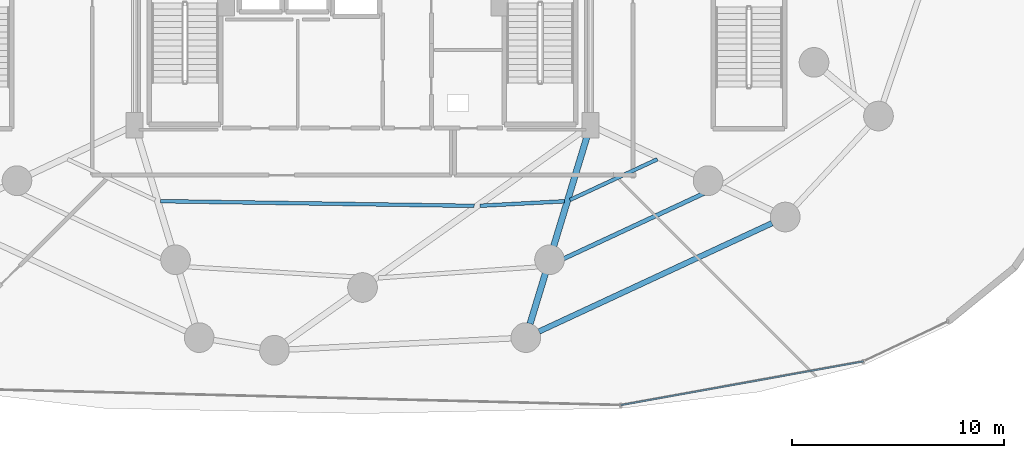
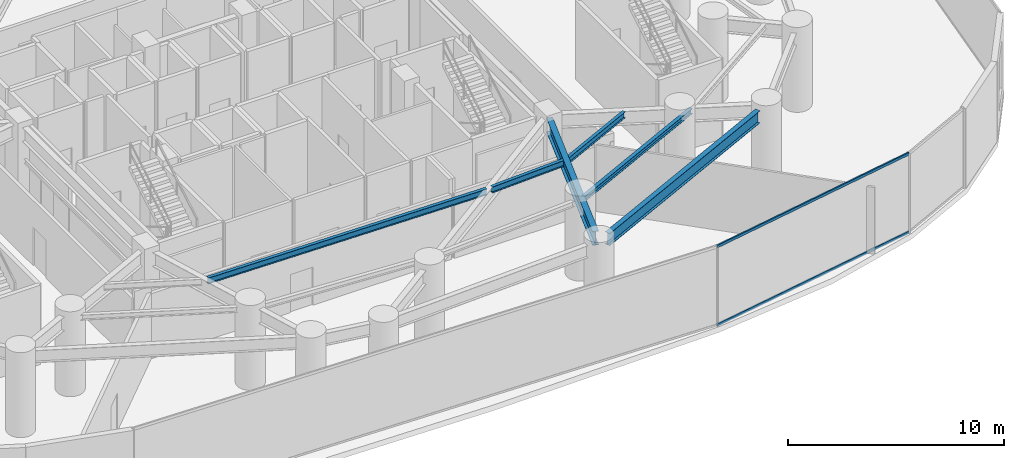
# One storey, part 9 of 26: 6 beams, 2 members, 1 element without a shape of its own.
"""IFC4 building model written with IfcOpenShell, lengths in metres."""

from ifc_helpers import new_model, si_unit, direction, frame, origin, origin_2d, place, context, subcontext, project, spatial, hollow_rectangle, i_section, extrude, material, material_profile, profile_set, type_object, element, aggregate, save


model = new_model("IFC4")

# Units and contexts
model_context = context("Model", 3, precision=1e-05, world=origin(), true_north=direction((0.0, 1.0)))
body_context = subcontext(model_context, "Body", "Model", "MODEL_VIEW")
ifc_project = project(units=[si_unit("LENGTHUNIT", "METRE"), si_unit("AREAUNIT", "SQUARE_METRE"), si_unit("VOLUMEUNIT", "CUBIC_METRE"), si_unit("PLANEANGLEUNIT", "RADIAN"), si_unit("MASSUNIT", "GRAM", prefix="KILO")], contexts=[model_context])

# Site, building, storey
site_placement = place(None, origin())
site = spatial("IfcSite", under=ifc_project, at=site_placement, CompositionType="ELEMENT")
building_placement = place(site_placement, origin())
building = spatial("IfcBuilding", under=site, at=building_placement, Name="Vorneva Point Tower", CompositionType="ELEMENT")
storey_placement = place(building_placement, frame((0.0, 0.0, 14.39990234375)))
storey = spatial("IfcBuildingStorey", under=building, at=storey_placement, Name="L03", CompositionType="ELEMENT", Elevation=14.39990234375)

# Beams
ifc_material_1 = material(Name="Steel S355", Category="steel")
ifc_material_profile_1 = material_profile(ifc_material_1, i_section(OverallWidth=0.300048828125, OverallDepth=0.7880859375, WebThickness=0.014404296875, FlangeThickness=0.02197265625, at=origin_2d()), Name="80Sh1")
ifc_profile_set_1 = profile_set([ifc_material_profile_1], Name="Steel S355")
beam_type_1 = type_object("IfcBeamType", Name="BM-GRD-80Sh1", PredefinedType="USERDEFINED", material=ifc_profile_set_1)
beam_1_placement = place(storey_placement, frame((45.9033203125, 7.093505859375, 4.086181640625), z_axis=(0.291056642682, 0.956705822471, 0.0), x_axis=(-0.956705822471, 0.291056642682, 0.0)))
element("IfcBeam", 1, at=beam_1_placement, inside=storey, type_object=beam_type_1, Name="L03 Radial Primary Girder 14", ObjectType="GIRDER", PredefinedType="USERDEFINED", context=body_context, shape_type="SweptSolid", body=[
    extrude(i_section(OverallWidth=0.300048828125, OverallDepth=0.7880859375, WebThickness=0.014404296875, FlangeThickness=0.02197265625, at=origin_2d()), origin(), (0.0, 0.0, 1.0), 9.43994140625),
])
ifc_material_profile_2 = material_profile(ifc_material_1, i_section(OverallWidth=0.199951171875, OverallDepth=0.291015625, WebThickness=0.008056640625, FlangeThickness=0.010986328125, at=origin_2d()), Name="30Sh1")
ifc_profile_set_2 = profile_set([ifc_material_profile_2], Name="Steel S355")
beam_type_2 = type_object("IfcBeamType", Name="BM-SEC-30Sh1", PredefinedType="BEAM", material=ifc_profile_set_2)
beam_2_placement = place(storey_placement, frame((46.852783203125, 9.861083984375, 4.334716796875), z_axis=(0.906358539677, 0.422509405286, 0.0), x_axis=(-0.422509405286, 0.906358539677, 0.0)))
element("IfcBeam", 2, at=beam_2_placement, inside=storey, type_object=beam_type_2, Name="L03 Secondary Floor Beam 1.14", PredefinedType="BEAM", context=body_context, shape_type="SweptSolid", body=[
    extrude(i_section(OverallWidth=0.199951171875, OverallDepth=0.291015625, WebThickness=0.008056640625, FlangeThickness=0.010986328125, at=origin_2d()), origin(), (0.0, 0.0, 1.0), 8.672607421875),
])
ifc_material_profile_3 = material_profile(ifc_material_1, i_section(OverallWidth=0.174072265625, OverallDepth=0.345947265625, WebThickness=0.006103515625, FlangeThickness=0.009033203125, at=origin_2d()), Name="35B1")
ifc_profile_set_3 = profile_set([ifc_material_profile_3], Name="Steel S355")
beam_type_3 = type_object("IfcBeamType", Name="BM-SEC-35B1", PredefinedType="BEAM", material=ifc_profile_set_3)
beam_3_placement = place(storey_placement, frame((28.47607421875, 12.871337890625, 4.30712890625), z_axis=(0.999887983751, -0.014967296034, 0.0), x_axis=(0.014967296034, 0.999887983751, 0.0)))
element("IfcBeam", 3, at=beam_3_placement, inside=storey, type_object=beam_type_3, Name="L03 Secondary Floor Beam 2.12", PredefinedType="BEAM", context=body_context, shape_type="SweptSolid", body=[
    extrude(i_section(OverallWidth=0.174072265625, OverallDepth=0.345947265625, WebThickness=0.006103515625, FlangeThickness=0.009033203125, at=origin_2d()), origin(), (0.0, 0.0, 1.0), 14.794677734375),
])
beam_4_placement = place(storey_placement, frame((43.544921875, 12.655029296875, 4.30712890625), z_axis=(0.998594716044, 0.052996161076, 0.0), x_axis=(-0.052996161076, 0.998594716044, 0.0)))
element("IfcBeam", 4, at=beam_4_placement, inside=storey, type_object=beam_type_3, Name="L03 Secondary Floor Beam 2.13", PredefinedType="BEAM", context=body_context, shape_type="SweptSolid", body=[
    extrude(i_section(OverallWidth=0.174072265625, OverallDepth=0.345947265625, WebThickness=0.006103515625, FlangeThickness=0.009033203125, at=origin_2d()), origin(), (0.0, 0.0, 1.0), 3.98486328125),
])
beam_5_placement = place(storey_placement, frame((47.787109375, 12.931640625, 4.30712890625), z_axis=(0.906701513467, 0.421772883762, 0.0), x_axis=(-0.421772883762, 0.906701513467, 0.0)))
element("IfcBeam", 5, at=beam_5_placement, inside=storey, type_object=beam_type_3, Name="L03 Secondary Floor Beam 2.14", PredefinedType="BEAM", context=body_context, shape_type="SweptSolid", body=[
    extrude(i_section(OverallWidth=0.174072265625, OverallDepth=0.345947265625, WebThickness=0.006103515625, FlangeThickness=0.009033203125, at=origin_2d()), origin(), (0.0, 0.0, 1.0), 4.542236328125),
])
ifc_material_profile_4 = material_profile(ifc_material_1, i_section(OverallWidth=0.260009765625, OverallDepth=0.69091796875, WebThickness=0.011962890625, FlangeThickness=0.015380859375, at=origin_2d()), Name="70B1")
ifc_profile_set_4 = profile_set([ifc_material_profile_4], Name="Steel S355")
beam_type_4 = type_object("IfcBeamType", Name="BM-SPN-70B1", PredefinedType="SPANDREL", material=ifc_profile_set_4)
beam_6_placement = place(storey_placement, frame((46.32421875, 6.72412109375, 4.134521484375), z_axis=(0.906780557897, 0.421602917234, 0.0), x_axis=(-0.421602917234, 0.906780557897, 0.0)))
element("IfcBeam", 6, at=beam_6_placement, inside=storey, type_object=beam_type_4, Name="L03 Perimeter Spandrel Ring Beam 14", PredefinedType="SPANDREL", context=body_context, shape_type="SweptSolid", body=[
    extrude(i_section(OverallWidth=0.260009765625, OverallDepth=0.69091796875, WebThickness=0.011962890625, FlangeThickness=0.015380859375, at=origin_2d()), origin(), (0.0, 0.0, 1.0), 12.12353515625),
])

# Curtain wall, members
ifc_material_2 = material(Name="Pale anodised aluminium", Category="aluminium")
curtain_wall_type = type_object("IfcCurtainWallType", Name="CW-POD-SYS", PredefinedType="NOTDEFINED", material=ifc_material_2)
curtain_wall_placement = place(storey_placement, origin())
curtain_wall = element("IfcCurtainWall", 7, at=curtain_wall_placement, inside=storey, type_object=curtain_wall_type, Name="L03 Unitised Curtain Wall CW-L03-R04", PredefinedType="NOTDEFINED")
ifc_material_profile_5 = material_profile(ifc_material_2, hollow_rectangle(XDim=0.074951171875, YDim=0.14990234375, WallThickness=0.00390625, at=origin_2d()), Name="AL-TRN 150x75x4")
ifc_profile_set_5 = profile_set([ifc_material_profile_5], Name="Pale anodised aluminium")
member_type = type_object("IfcMemberType", Name="CW-TRN-150", PredefinedType="USERDEFINED", material=ifc_profile_set_5)
member_1_placement = place(storey_placement, frame((50.179443359375, 3.251220703125, 0.02001953125), z_axis=(0.984138982307, 0.177399164327, 0.0), x_axis=(-0.177399164327, 0.984138982307, 0.0)))
member_1 = element("IfcMember", 8, at=member_1_placement, type_object=member_type, Name="CW-L03-R04 Transom 02.1", ObjectType="TRANSOM", PredefinedType="USERDEFINED", context=body_context, shape_type="SweptSolid", body=[
    extrude(hollow_rectangle(XDim=0.074951171875, YDim=0.14990234375, WallThickness=0.00390625, at=origin_2d()), origin(), (0.0, 0.0, 1.0), 11.62353515625),
])
member_2_placement = place(storey_placement, frame((50.179443359375, 3.251220703125, 4.460205078125), z_axis=(0.984138982307, 0.177399164327, 0.0), x_axis=(-0.177399164327, 0.984138982307, 0.0)))
member_2 = element("IfcMember", 9, at=member_2_placement, type_object=member_type, Name="CW-L03-R04 Transom 02.2", ObjectType="TRANSOM", PredefinedType="USERDEFINED", context=body_context, shape_type="SweptSolid", body=[
    extrude(hollow_rectangle(XDim=0.074951171875, YDim=0.14990234375, WallThickness=0.00390625, at=origin_2d()), origin(), (0.0, 0.0, 1.0), 11.62353515625),
])
aggregate(curtain_wall, [member_1, member_2])

save(model, "model.ifc")
